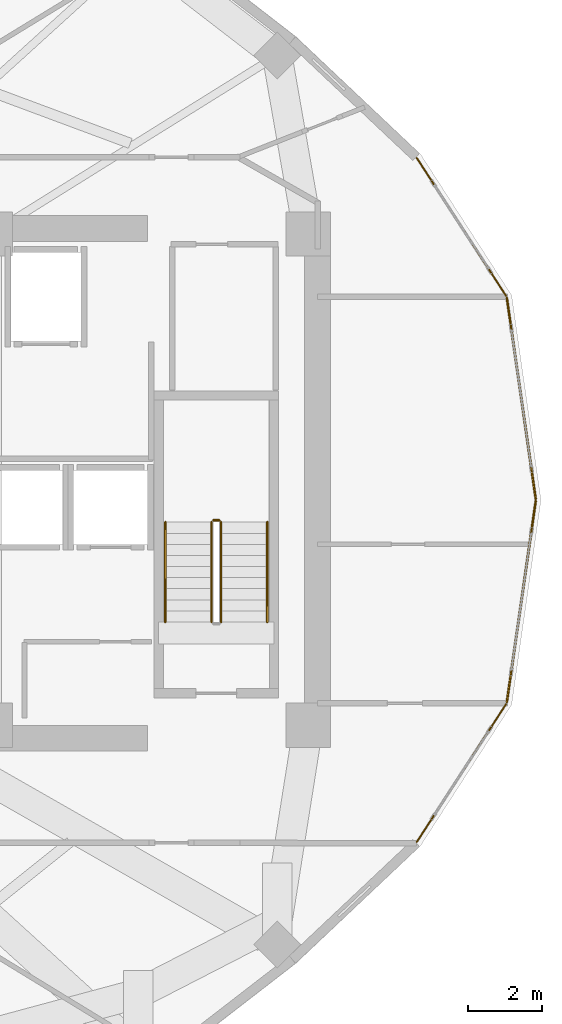
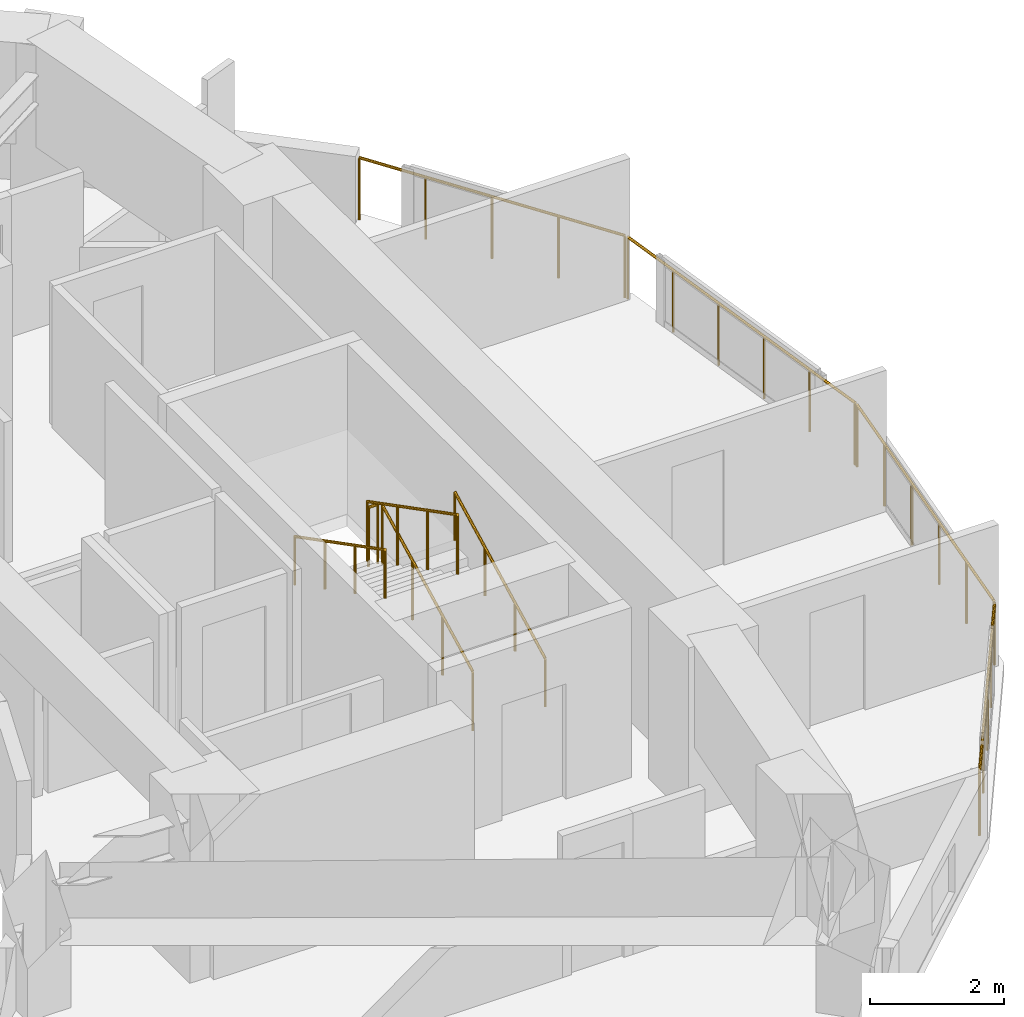
# One storey, part 13 of 13: 9 railings.
"""IFC4 building model written with IfcOpenShell, lengths in metres."""

from ifc_helpers import new_model, si_unit, direction, frame, origin, origin_2d, place, context, subcontext, project, spatial, circle, extrude, material, type_object, element, save


model = new_model("IFC4")

# Units and contexts
model_context = context("Model", 3, precision=1e-05, world=origin(), true_north=direction((0.0, 1.0)))
body_context = subcontext(model_context, "Body", "Model", "MODEL_VIEW")
ifc_project = project(units=[si_unit("LENGTHUNIT", "METRE"), si_unit("AREAUNIT", "SQUARE_METRE"), si_unit("VOLUMEUNIT", "CUBIC_METRE"), si_unit("PLANEANGLEUNIT", "RADIAN"), si_unit("MASSUNIT", "GRAM", prefix="KILO")], contexts=[model_context])

# Site, building, storey
site_placement = place(None, origin())
site = spatial("IfcSite", under=ifc_project, at=site_placement, CompositionType="ELEMENT")
building_placement = place(site_placement, origin())
building = spatial("IfcBuilding", under=site, at=building_placement, Name="Solvane Sanctuary Tower", CompositionType="ELEMENT")
storey_placement = place(building_placement, frame((0.0, 0.0, 149.800048828125)))
storey = spatial("IfcBuildingStorey", under=building, at=storey_placement, Name="L45", CompositionType="ELEMENT", Elevation=149.800048828125)

# Railings
ifc_material = material(Name="Architectural Stainless Steel 316", Category="steel")
railing_type_1 = type_object("IfcRailingType", Name="Railing GR-BALC-1150", PredefinedType="BALUSTRADE", material=ifc_material)
railing_1_placement = place(storey_placement, frame((54.855712890625, 23.02978515625, 0.0)))
element("IfcRailing", 1, at=railing_1_placement, inside=storey, type_object=railing_type_1, Name="L45 Curtain-Wall Perimeter Sill Guard 00", PredefinedType="BALUSTRADE", context=body_context, shape_type="SweptSolid", body=[
    extrude(circle(Radius=0.02392578125, at=origin_2d()), frame((0.0, 0.0, 1.1259765625), z_axis=(-0.142230243532, 0.989833601079, 0.0), x_axis=(-0.989833601079, -0.142230243532, 0.0)), (0.0, 0.0, 1.0), 5.492919921875),
    extrude(circle(Radius=0.02099609375, at=origin_2d()), origin(), (0.0, 0.0, 1.0), 1.101806640625),
    extrude(circle(Radius=0.02099609375, at=origin_2d()), frame((-0.15625, 1.08740234375, 0.0)), (0.0, 0.0, 1.0), 1.101806640625),
    extrude(circle(Radius=0.02099609375, at=origin_2d()), frame((-0.3125, 2.1748046875, 0.0)), (0.0, 0.0, 1.0), 1.101806640625),
    extrude(circle(Radius=0.02099609375, at=origin_2d()), frame((-0.46875, 3.26220703125, 0.0)), (0.0, 0.0, 1.0), 1.101806640625),
    extrude(circle(Radius=0.02099609375, at=origin_2d()), frame((-0.625, 4.349609375, 0.0)), (0.0, 0.0, 1.0), 1.101806640625),
    extrude(circle(Radius=0.02099609375, at=origin_2d()), frame((-0.78125, 5.43701171875, 0.0)), (0.0, 0.0, 1.0), 1.101806640625),
])
railing_2_placement = place(storey_placement, frame((54.053955078125, 28.521728515625, 0.0)))
element("IfcRailing", 2, at=railing_2_placement, inside=storey, type_object=railing_type_1, Name="L45 Curtain-Wall Perimeter Sill Guard 01", PredefinedType="BALUSTRADE", context=body_context, shape_type="SweptSolid", body=[
    extrude(circle(Radius=0.02392578125, at=origin_2d()), frame((0.0, 0.0, 1.1259765625), z_axis=(-0.543333147582, 0.839517177155, 0.0), x_axis=(-0.839517177155, -0.543333147582, 0.0)), (0.0, 0.0, 1.0), 4.451171875),
    extrude(circle(Radius=0.02099609375, at=origin_2d()), origin(), (0.0, 0.0, 1.0), 1.101806640625),
    extrude(circle(Radius=0.02099609375, at=origin_2d()), frame((-0.6044921875, 0.93408203125, 0.0)), (0.0, 0.0, 1.0), 1.101806640625),
    extrude(circle(Radius=0.02099609375, at=origin_2d()), frame((-1.209228515625, 1.868408203125, 0.0)), (0.0, 0.0, 1.0), 1.101806640625),
    extrude(circle(Radius=0.02099609375, at=origin_2d()), frame((-1.81396484375, 2.802734375, 0.0)), (0.0, 0.0, 1.0), 1.101806640625),
    extrude(circle(Radius=0.02099609375, at=origin_2d()), frame((-2.41845703125, 3.73681640625, 0.0)), (0.0, 0.0, 1.0), 1.101806640625),
])
railing_3_placement = place(storey_placement, frame((51.635498046875, 13.741455078125, 0.0)))
element("IfcRailing", 3, at=railing_3_placement, inside=storey, type_object=railing_type_1, Name="L45 Curtain-Wall Perimeter Sill Guard 22", PredefinedType="BALUSTRADE", context=body_context, shape_type="SweptSolid", body=[
    extrude(circle(Radius=0.02392578125, at=origin_2d()), frame((0.0, 0.0, 1.1259765625), z_axis=(0.543333147582, 0.839517177155, 0.0), x_axis=(-0.839517177155, 0.543333147582, 0.0)), (0.0, 0.0, 1.0), 4.451171875),
    extrude(circle(Radius=0.02099609375, at=origin_2d()), origin(), (0.0, 0.0, 1.0), 1.101806640625),
    extrude(circle(Radius=0.02099609375, at=origin_2d()), frame((0.6044921875, 0.93408203125, 0.0)), (0.0, 0.0, 1.0), 1.101806640625),
    extrude(circle(Radius=0.02099609375, at=origin_2d()), frame((1.209228515625, 1.868408203125, 0.0)), (0.0, 0.0, 1.0), 1.101806640625),
    extrude(circle(Radius=0.02099609375, at=origin_2d()), frame((1.81396484375, 2.802734375, 0.0)), (0.0, 0.0, 1.0), 1.101806640625),
    extrude(circle(Radius=0.02099609375, at=origin_2d()), frame((2.41845703125, 3.73681640625, 0.0)), (0.0, 0.0, 1.0), 1.101806640625),
])
railing_4_placement = place(storey_placement, frame((54.074462890625, 17.533203125, 0.0)))
element("IfcRailing", 4, at=railing_4_placement, inside=storey, type_object=railing_type_1, Name="L45 Curtain-Wall Perimeter Sill Guard 23", PredefinedType="BALUSTRADE", context=body_context, shape_type="SweptSolid", body=[
    extrude(circle(Radius=0.02392578125, at=origin_2d()), frame((0.0, 0.0, 1.1259765625), z_axis=(0.142230243532, 0.989833601079, 0.0), x_axis=(-0.989833601079, 0.142230243532, 0.0)), (0.0, 0.0, 1.0), 5.492919921875),
    extrude(circle(Radius=0.02099609375, at=origin_2d()), origin(), (0.0, 0.0, 1.0), 1.101806640625),
    extrude(circle(Radius=0.02099609375, at=origin_2d()), frame((0.15625, 1.08740234375, 0.0)), (0.0, 0.0, 1.0), 1.101806640625),
    extrude(circle(Radius=0.02099609375, at=origin_2d()), frame((0.3125, 2.1748046875, 0.0)), (0.0, 0.0, 1.0), 1.101806640625),
    extrude(circle(Radius=0.02099609375, at=origin_2d()), frame((0.46875, 3.26220703125, 0.0)), (0.0, 0.0, 1.0), 1.101806640625),
    extrude(circle(Radius=0.02099609375, at=origin_2d()), frame((0.625, 4.349609375, 0.0)), (0.0, 0.0, 1.0), 1.101806640625),
    extrude(circle(Radius=0.02099609375, at=origin_2d()), frame((0.78125, 5.43701171875, 0.0)), (0.0, 0.0, 1.0), 1.101806640625),
])
railing_5_placement = place(storey_placement, frame((46.340087890625, 19.699951171875, 0.155029296875)))
element("IfcRailing", 5, at=railing_5_placement, inside=storey, type_object=railing_type_1, Name="L45 ST-2 stair guard 1", PredefinedType="BALUSTRADE", context=body_context, shape_type="SweptSolid", body=[
    extrude(circle(Radius=0.02392578125, at=origin_2d()), frame((0.0, 0.0, 1.076171875), z_axis=(0.0, 0.888419900624, 0.459031676658), x_axis=(-1.0, 0.0, 0.0)), (0.0, 0.0, 1.0), 3.0390625),
    extrude(circle(Radius=0.02099609375, at=origin_2d()), origin(), (0.0, 0.0, 1.0), 1.052001953125),
    extrude(circle(Radius=0.02099609375, at=origin_2d()), frame((0.0, 0.89990234375, 0.465087890625)), (0.0, 0.0, 1.0), 1.052001953125),
    extrude(circle(Radius=0.02099609375, at=origin_2d()), frame((0.0, 1.800048828125, 0.929931640625)), (0.0, 0.0, 1.0), 1.052001953125),
    extrude(circle(Radius=0.02099609375, at=origin_2d()), frame((0.0, 2.699951171875, 1.39501953125)), (0.0, 0.0, 1.0), 1.052001953125),
])
railing_6_placement = place(storey_placement, frame((46.2900390625, 22.449951171875, 1.550048828125)))
element("IfcRailing", 6, at=railing_6_placement, inside=storey, type_object=railing_type_1, Name="L45 ST-2 stair guard 2", PredefinedType="BALUSTRADE", context=body_context, shape_type="SweptSolid", body=[
    extrude(circle(Radius=0.02392578125, at=origin_2d()), frame((0.0, 0.0, 1.076171875), z_axis=(-1.0, 0.0, 0.0), x_axis=(0.0, -1.0, 0.0)), (0.0, 0.0, 1.0), 0.16015625),
    extrude(circle(Radius=0.02099609375, at=origin_2d()), origin(), (0.0, 0.0, 1.0), 1.052001953125),
    extrude(circle(Radius=0.02099609375, at=origin_2d()), frame((-0.16015625, 0.0, 0.0)), (0.0, 0.0, 1.0), 1.052001953125),
])
railing_7_placement = place(storey_placement, frame((46.080078125, 22.39990234375, 1.704833984375)))
element("IfcRailing", 7, at=railing_7_placement, inside=storey, type_object=railing_type_1, Name="L45 ST-2 stair guard 3", PredefinedType="BALUSTRADE", context=body_context, shape_type="SweptSolid", body=[
    extrude(circle(Radius=0.02392578125, at=origin_2d()), frame((0.0, 0.0, 1.076171875), z_axis=(0.0, -0.888419900624, 0.459031676658), x_axis=(1.0, 0.0, 0.0)), (0.0, 0.0, 1.0), 3.0390625),
    extrude(circle(Radius=0.02099609375, at=origin_2d()), origin(), (0.0, 0.0, 1.0), 1.052001953125),
    extrude(circle(Radius=0.02099609375, at=origin_2d()), frame((0.0, -0.89990234375, 0.465087890625)), (0.0, 0.0, 1.0), 1.052001953125),
    extrude(circle(Radius=0.02099609375, at=origin_2d()), frame((0.0, -1.800048828125, 0.929931640625)), (0.0, 0.0, 1.0), 1.052001953125),
    extrude(circle(Radius=0.02099609375, at=origin_2d()), frame((0.0, -2.699951171875, 1.39501953125)), (0.0, 0.0, 1.0), 1.052001953125),
])
railing_type_2 = type_object("IfcRailingType", Name="Railing HR-STAIR-920", PredefinedType="HANDRAIL", material=ifc_material)
railing_8_placement = place(storey_placement, frame((47.590087890625, 19.699951171875, 0.155029296875)))
element("IfcRailing", 8, at=railing_8_placement, inside=storey, type_object=railing_type_2, Name="L45 ST-2 stair handrail 1", PredefinedType="HANDRAIL", context=body_context, shape_type="SweptSolid", body=[
    extrude(circle(Radius=0.02392578125, at=origin_2d()), frame((0.0, 0.0, 0.8759765625), z_axis=(0.0, 0.888419900624, 0.459031676658), x_axis=(-1.0, 0.0, 0.0)), (0.0, 0.0, 1.0), 3.0390625),
    extrude(circle(Radius=0.02099609375, at=origin_2d()), origin(), (0.0, 0.0, 1.0), 0.851806640625),
    extrude(circle(Radius=0.02099609375, at=origin_2d()), frame((0.0, 0.89990234375, 0.465087890625)), (0.0, 0.0, 1.0), 0.851806640625),
    extrude(circle(Radius=0.02099609375, at=origin_2d()), frame((0.0, 1.800048828125, 0.929931640625)), (0.0, 0.0, 1.0), 0.851806640625),
    extrude(circle(Radius=0.02099609375, at=origin_2d()), frame((0.0, 2.699951171875, 1.39501953125)), (0.0, 0.0, 1.0), 0.851806640625),
])
railing_9_placement = place(storey_placement, frame((44.830078125, 22.39990234375, 1.704833984375)))
element("IfcRailing", 9, at=railing_9_placement, inside=storey, type_object=railing_type_2, Name="L45 ST-2 stair handrail 2", PredefinedType="HANDRAIL", context=body_context, shape_type="SweptSolid", body=[
    extrude(circle(Radius=0.02392578125, at=origin_2d()), frame((0.0, 0.0, 0.8759765625), z_axis=(0.0, -0.888419900624, 0.459031676658), x_axis=(1.0, 0.0, 0.0)), (0.0, 0.0, 1.0), 3.0390625),
    extrude(circle(Radius=0.02099609375, at=origin_2d()), origin(), (0.0, 0.0, 1.0), 0.851806640625),
    extrude(circle(Radius=0.02099609375, at=origin_2d()), frame((0.0, -0.89990234375, 0.465087890625)), (0.0, 0.0, 1.0), 0.851806640625),
    extrude(circle(Radius=0.02099609375, at=origin_2d()), frame((0.0, -1.800048828125, 0.929931640625)), (0.0, 0.0, 1.0), 0.851806640625),
    extrude(circle(Radius=0.02099609375, at=origin_2d()), frame((0.0, -2.699951171875, 1.39501953125)), (0.0, 0.0, 1.0), 0.851806640625),
])

save(model, "model.ifc")
